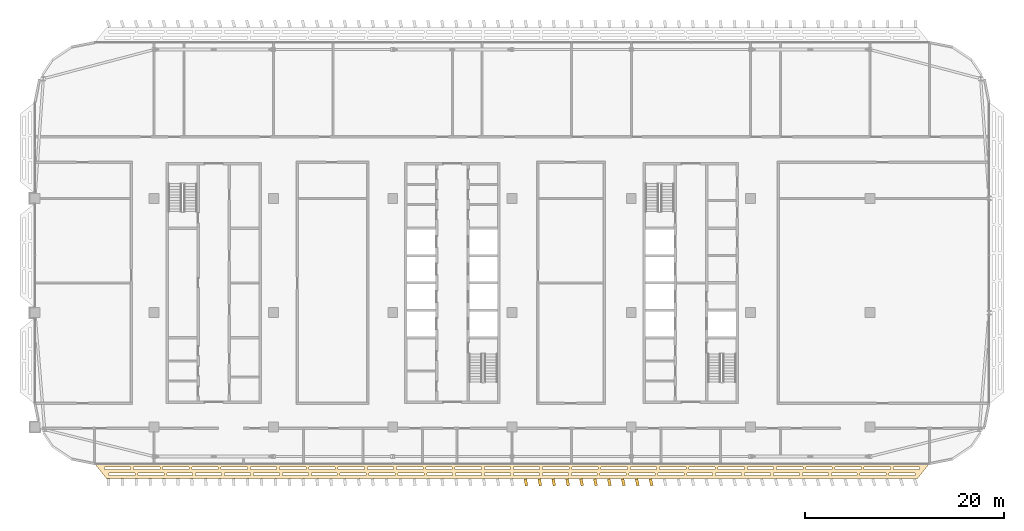
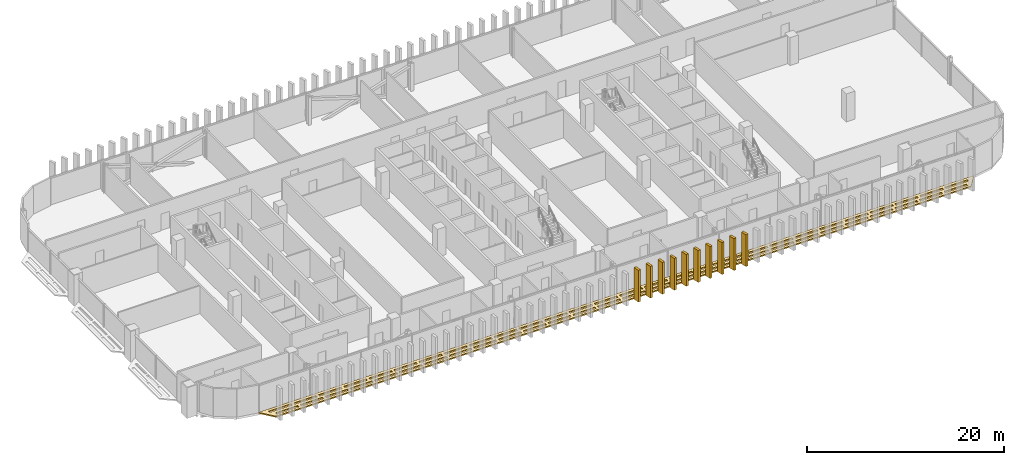
# One storey, part 30 of 34: 11 coverings.
"""IFC4 building model written with IfcOpenShell, lengths in metres."""

from ifc_helpers import new_model, si_unit, direction, frame, origin, origin_2d, place, context, subcontext, project, spatial, polyline, rectangle, outline, extrude, material, layer, layer_set, type_object, element, save


model = new_model("IFC4")

# Units and contexts
model_context = context("Model", 3, precision=1e-05, world=origin(), true_north=direction((0.0, 1.0)))
body_context = subcontext(model_context, "Body", "Model", "MODEL_VIEW")
ifc_project = project(units=[si_unit("LENGTHUNIT", "METRE"), si_unit("AREAUNIT", "SQUARE_METRE"), si_unit("VOLUMEUNIT", "CUBIC_METRE"), si_unit("PLANEANGLEUNIT", "RADIAN"), si_unit("MASSUNIT", "GRAM", prefix="KILO")], contexts=[model_context])

# Site, building, storey
site_placement = place(None, origin())
site = spatial("IfcSite", under=ifc_project, at=site_placement, CompositionType="ELEMENT")
building_placement = place(site_placement, origin())
building = spatial("IfcBuilding", under=site, at=building_placement, Name="Mahtab Terrace Research Tower", CompositionType="ELEMENT")
storey_placement = place(building_placement, frame((0.0, 0.0, 247.60009765625)))
storey = spatial("IfcBuildingStorey", under=building, at=storey_placement, Name="L60", CompositionType="ELEMENT", Elevation=247.60009765625)

# Coverings
ifc_material_1 = material(Name="Black anodised aluminium", Category="aluminium")
ifc_layer_1 = layer(ifc_material_1, 0.14990234375)
ifc_layer_set_1 = layer_set([ifc_layer_1], Name="Horizontal sunshade band")
covering_type_1 = type_object("IfcCoveringType", Name="Horizontal sunshade band", PredefinedType="CLADDING", material=ifc_layer_set_1)
covering_placement = place(storey_placement, frame((0.0, 0.0, -0.150146484375)))
element("IfcCovering", 1, at=covering_placement, inside=storey, type_object=covering_type_1, Name="Sunshade band L60 15", PredefinedType="CLADDING", context=body_context, shape_type="SweptSolid", body=[
    extrude(outline(polyline([(-36.0, -15.195068359375), (48.0, -15.195068359375), (46.800048828125, -16.695068359375), (-34.800048828125, -16.695068359375), (-36.0, -15.195068359375)]), holes=[polyline([(-35.02001953125, -15.544921875), (-32.37890625, -15.544921875), (-32.37890625, -15.794921875), (-35.02001953125, -15.794921875), (-35.02001953125, -15.544921875)]), polyline([(-32.0791015625, -15.544921875), (-29.43896484375, -15.544921875), (-29.43896484375, -15.794921875), (-32.0791015625, -15.794921875), (-32.0791015625, -15.544921875)]), polyline([(-29.138916015625, -15.544921875), (-26.498046875, -15.544921875), (-26.498046875, -15.794921875), (-29.138916015625, -15.794921875), (-29.138916015625, -15.544921875)]), polyline([(-26.197998046875, -15.544921875), (-23.556884765625, -15.544921875), (-23.556884765625, -15.794921875), (-26.197998046875, -15.794921875), (-26.197998046875, -15.544921875)]), polyline([(-23.257080078125, -15.544921875), (-20.615966796875, -15.544921875), (-20.615966796875, -15.794921875), (-23.257080078125, -15.794921875), (-23.257080078125, -15.544921875)]), polyline([(-20.31591796875, -15.544921875), (-17.676025390625, -15.544921875), (-17.676025390625, -15.794921875), (-20.31591796875, -15.794921875), (-20.31591796875, -15.544921875)]), polyline([(-17.3759765625, -15.544921875), (-14.735107421875, -15.544921875), (-14.735107421875, -15.794921875), (-17.3759765625, -15.794921875), (-17.3759765625, -15.544921875)]), polyline([(-14.43505859375, -15.544921875), (-11.7939453125, -15.544921875), (-11.7939453125, -15.794921875), (-14.43505859375, -15.794921875), (-14.43505859375, -15.544921875)]), polyline([(-11.493896484375, -15.544921875), (-8.85400390625, -15.544921875), (-8.85400390625, -15.794921875), (-11.493896484375, -15.794921875), (-11.493896484375, -15.544921875)]), polyline([(-8.553955078125, -15.544921875), (-5.9130859375, -15.544921875), (-5.9130859375, -15.794921875), (-8.553955078125, -15.794921875), (-8.553955078125, -15.544921875)]), polyline([(-5.613037109375, -15.544921875), (-2.971923828125, -15.544921875), (-2.971923828125, -15.794921875), (-5.613037109375, -15.794921875), (-5.613037109375, -15.544921875)]), polyline([(-2.672119140625, -15.544921875), (-0.031005859375, -15.544921875), (-0.031005859375, -15.794921875), (-2.672119140625, -15.794921875), (-2.672119140625, -15.544921875)]), polyline([(0.26904296875, -15.544921875), (2.908935546875, -15.544921875), (2.908935546875, -15.794921875), (0.26904296875, -15.794921875), (0.26904296875, -15.544921875)]), polyline([(3.208984375, -15.544921875), (5.85009765625, -15.544921875), (5.85009765625, -15.794921875), (3.208984375, -15.794921875), (3.208984375, -15.544921875)]), polyline([(6.14990234375, -15.544921875), (8.791015625, -15.544921875), (8.791015625, -15.794921875), (6.14990234375, -15.794921875), (6.14990234375, -15.544921875)]), polyline([(9.091064453125, -15.544921875), (11.73095703125, -15.544921875), (11.73095703125, -15.794921875), (9.091064453125, -15.794921875), (9.091064453125, -15.544921875)]), polyline([(12.031005859375, -15.544921875), (14.672119140625, -15.544921875), (14.672119140625, -15.794921875), (12.031005859375, -15.794921875), (12.031005859375, -15.544921875)]), polyline([(14.971923828125, -15.544921875), (17.613037109375, -15.544921875), (17.613037109375, -15.794921875), (14.971923828125, -15.794921875), (14.971923828125, -15.544921875)]), polyline([(17.9130859375, -15.544921875), (20.553955078125, -15.544921875), (20.553955078125, -15.794921875), (17.9130859375, -15.794921875), (17.9130859375, -15.544921875)]), polyline([(20.85400390625, -15.544921875), (23.493896484375, -15.544921875), (23.493896484375, -15.794921875), (20.85400390625, -15.794921875), (20.85400390625, -15.544921875)]), polyline([(23.7939453125, -15.544921875), (26.43505859375, -15.544921875), (26.43505859375, -15.794921875), (23.7939453125, -15.794921875), (23.7939453125, -15.544921875)]), polyline([(26.735107421875, -15.544921875), (29.3759765625, -15.544921875), (29.3759765625, -15.794921875), (26.735107421875, -15.794921875), (26.735107421875, -15.544921875)]), polyline([(29.676025390625, -15.544921875), (32.31591796875, -15.544921875), (32.31591796875, -15.794921875), (29.676025390625, -15.794921875), (29.676025390625, -15.544921875)]), polyline([(32.615966796875, -15.544921875), (35.257080078125, -15.544921875), (35.257080078125, -15.794921875), (32.615966796875, -15.794921875), (32.615966796875, -15.544921875)]), polyline([(35.556884765625, -15.544921875), (38.197998046875, -15.544921875), (38.197998046875, -15.794921875), (35.556884765625, -15.794921875), (35.556884765625, -15.544921875)]), polyline([(38.498046875, -15.544921875), (41.138916015625, -15.544921875), (41.138916015625, -15.794921875), (38.498046875, -15.794921875), (38.498046875, -15.544921875)]), polyline([(41.43896484375, -15.544921875), (44.0791015625, -15.544921875), (44.0791015625, -15.794921875), (41.43896484375, -15.794921875), (41.43896484375, -15.544921875)]), polyline([(44.37890625, -15.544921875), (47.02001953125, -15.544921875), (47.02001953125, -15.794921875), (44.37890625, -15.794921875), (44.37890625, -15.544921875)]), polyline([(-34.5400390625, -16.14501953125), (-31.93408203125, -16.14501953125), (-31.93408203125, -16.39501953125), (-34.5400390625, -16.39501953125), (-34.5400390625, -16.14501953125)]), polyline([(-31.634033203125, -16.14501953125), (-29.027099609375, -16.14501953125), (-29.027099609375, -16.39501953125), (-31.634033203125, -16.39501953125), (-31.634033203125, -16.14501953125)]), polyline([(-28.72705078125, -16.14501953125), (-26.12109375, -16.14501953125), (-26.12109375, -16.39501953125), (-28.72705078125, -16.39501953125), (-28.72705078125, -16.14501953125)]), polyline([(-25.821044921875, -16.14501953125), (-23.214111328125, -16.14501953125), (-23.214111328125, -16.39501953125), (-25.821044921875, -16.39501953125), (-25.821044921875, -16.14501953125)]), polyline([(-22.9140625, -16.14501953125), (-20.30810546875, -16.14501953125), (-20.30810546875, -16.39501953125), (-22.9140625, -16.39501953125), (-22.9140625, -16.14501953125)]), polyline([(-20.008056640625, -16.14501953125), (-17.40087890625, -16.14501953125), (-17.40087890625, -16.39501953125), (-20.008056640625, -16.39501953125), (-20.008056640625, -16.14501953125)]), polyline([(-17.10107421875, -16.14501953125), (-14.4951171875, -16.14501953125), (-14.4951171875, -16.39501953125), (-17.10107421875, -16.39501953125), (-17.10107421875, -16.14501953125)]), polyline([(-14.195068359375, -16.14501953125), (-11.589111328125, -16.14501953125), (-11.589111328125, -16.39501953125), (-14.195068359375, -16.39501953125), (-14.195068359375, -16.14501953125)]), polyline([(-11.2890625, -16.14501953125), (-8.681884765625, -16.14501953125), (-8.681884765625, -16.39501953125), (-11.2890625, -16.39501953125), (-11.2890625, -16.14501953125)]), polyline([(-8.382080078125, -16.14501953125), (-5.77587890625, -16.14501953125), (-5.77587890625, -16.39501953125), (-8.382080078125, -16.39501953125), (-8.382080078125, -16.14501953125)]), polyline([(-5.47607421875, -16.14501953125), (-2.868896484375, -16.14501953125), (-2.868896484375, -16.39501953125), (-5.47607421875, -16.39501953125), (-5.47607421875, -16.14501953125)]), polyline([(-2.569091796875, -16.14501953125), (0.037109375, -16.14501953125), (0.037109375, -16.39501953125), (-2.569091796875, -16.39501953125), (-2.569091796875, -16.14501953125)]), polyline([(0.3369140625, -16.14501953125), (2.944091796875, -16.14501953125), (2.944091796875, -16.39501953125), (0.3369140625, -16.39501953125), (0.3369140625, -16.14501953125)]), polyline([(3.243896484375, -16.14501953125), (5.85009765625, -16.14501953125), (5.85009765625, -16.39501953125), (3.243896484375, -16.39501953125), (3.243896484375, -16.14501953125)]), polyline([(6.14990234375, -16.14501953125), (8.756103515625, -16.14501953125), (8.756103515625, -16.39501953125), (6.14990234375, -16.39501953125), (6.14990234375, -16.14501953125)]), polyline([(9.055908203125, -16.14501953125), (11.6630859375, -16.14501953125), (11.6630859375, -16.39501953125), (9.055908203125, -16.39501953125), (9.055908203125, -16.14501953125)]), polyline([(11.962890625, -16.14501953125), (14.569091796875, -16.14501953125), (14.569091796875, -16.39501953125), (11.962890625, -16.39501953125), (11.962890625, -16.14501953125)]), polyline([(14.868896484375, -16.14501953125), (17.47607421875, -16.14501953125), (17.47607421875, -16.39501953125), (14.868896484375, -16.39501953125), (14.868896484375, -16.14501953125)]), polyline([(17.77587890625, -16.14501953125), (20.382080078125, -16.14501953125), (20.382080078125, -16.39501953125), (17.77587890625, -16.39501953125), (17.77587890625, -16.14501953125)]), polyline([(20.681884765625, -16.14501953125), (23.2890625, -16.14501953125), (23.2890625, -16.39501953125), (20.681884765625, -16.39501953125), (20.681884765625, -16.14501953125)]), polyline([(23.589111328125, -16.14501953125), (26.195068359375, -16.14501953125), (26.195068359375, -16.39501953125), (23.589111328125, -16.39501953125), (23.589111328125, -16.14501953125)]), polyline([(26.4951171875, -16.14501953125), (29.10107421875, -16.14501953125), (29.10107421875, -16.39501953125), (26.4951171875, -16.39501953125), (26.4951171875, -16.14501953125)]), polyline([(29.40087890625, -16.14501953125), (32.008056640625, -16.14501953125), (32.008056640625, -16.39501953125), (29.40087890625, -16.39501953125), (29.40087890625, -16.14501953125)]), polyline([(32.30810546875, -16.14501953125), (34.9140625, -16.14501953125), (34.9140625, -16.39501953125), (32.30810546875, -16.39501953125), (32.30810546875, -16.14501953125)]), polyline([(35.214111328125, -16.14501953125), (37.821044921875, -16.14501953125), (37.821044921875, -16.39501953125), (35.214111328125, -16.39501953125), (35.214111328125, -16.14501953125)]), polyline([(38.12109375, -16.14501953125), (40.72705078125, -16.14501953125), (40.72705078125, -16.39501953125), (38.12109375, -16.39501953125), (38.12109375, -16.14501953125)]), polyline([(41.027099609375, -16.14501953125), (43.634033203125, -16.14501953125), (43.634033203125, -16.39501953125), (41.027099609375, -16.39501953125), (41.027099609375, -16.14501953125)]), polyline([(43.93408203125, -16.14501953125), (46.5400390625, -16.14501953125), (46.5400390625, -16.39501953125), (43.93408203125, -16.39501953125), (43.93408203125, -16.14501953125)])]), origin(), (0.0, 0.0, 1.0), 0.150146484375),
])
ifc_material_2 = material(Name="Bronze anodised aluminium", Category="aluminium")
ifc_layer_2 = layer(ifc_material_2, 0.1201171875)
ifc_layer_set_2 = layer_set([ifc_layer_2], Name="Vertical fin 700")
covering_type_2 = type_object("IfcCoveringType", Name="Vertical fin 700", PredefinedType="CLADDING", material=ifc_layer_set_2)
for number, where, z_axis, x_axis, name in (
    (2, (7.39990234375, -17.064453125, -0.14990234375), (0.0, 0.0, 1.0), (0.983780848524, 0.179374585932, 0.0), "Fin L60 S31"),
    (3, (8.800048828125, -17.06494140625, -0.14990234375), (0.0, 0.0, 1.0), (0.982720646705, 0.18509492305, 0.0), "Fin L60 S32"),
    (4, (10.199951171875, -17.065185546875, -0.14990234375), (0.0, 0.0, 1.0), (0.981627183448, 0.190808995377, 0.0), "Fin L60 S33"),
    (5, (11.60009765625, -17.065673828125, -0.14990234375), (0.0, 0.0, 1.0), (0.980500495757, 0.196516609527, 0.0), "Fin L60 S34"),
    (6, (13.0, -17.066162109375, -0.14990234375), (0.0, 0.0, 1.0), (0.979340621764, 0.202217572338, 0.0), "Fin L60 S35"),
    (7, (14.39990234375, -17.06640625, -0.14990234375), (0.0, 0.0, 1.0), (0.978147600734, 0.207911690818, 0.0), "Fin L60 S36"),
    (8, (15.800048828125, -17.06689453125, -0.14990234375), (0.0, 0.0, 1.0), (0.976921473041, 0.21359877226, 0.0), "Fin L60 S37"),
    (9, (17.199951171875, -17.067138671875, -0.14990234375), (0.0, 0.0, 1.0), (0.975662280183, 0.219278624194, 0.0), "Fin L60 S38"),
    (10, (18.60009765625, -17.067626953125, -0.14990234375), (0.0, 0.0, 1.0), (0.974370064785, 0.224951054344, 0.0), "Fin L60 S39"),
    (11, (20.0, -17.06787109375, -0.14990234375), (0.0, 0.0, 1.0), (0.973044870581, 0.230615870737, 0.0), "Fin L60 S40"),
):
    element("IfcCovering", number, at=place(storey_placement, frame(where, z_axis=z_axis, x_axis=x_axis)), inside=storey, type_object=covering_type_2, Name=name, PredefinedType="CLADDING", context=body_context, shape_type="SweptSolid", body=[
        extrude(rectangle(XDim=0.280029296875, YDim=0.699951171875, at=origin_2d()), origin(), (0.0, 0.0, 1.0), 3.949951171875),
    ])

save(model, "model.ifc")
